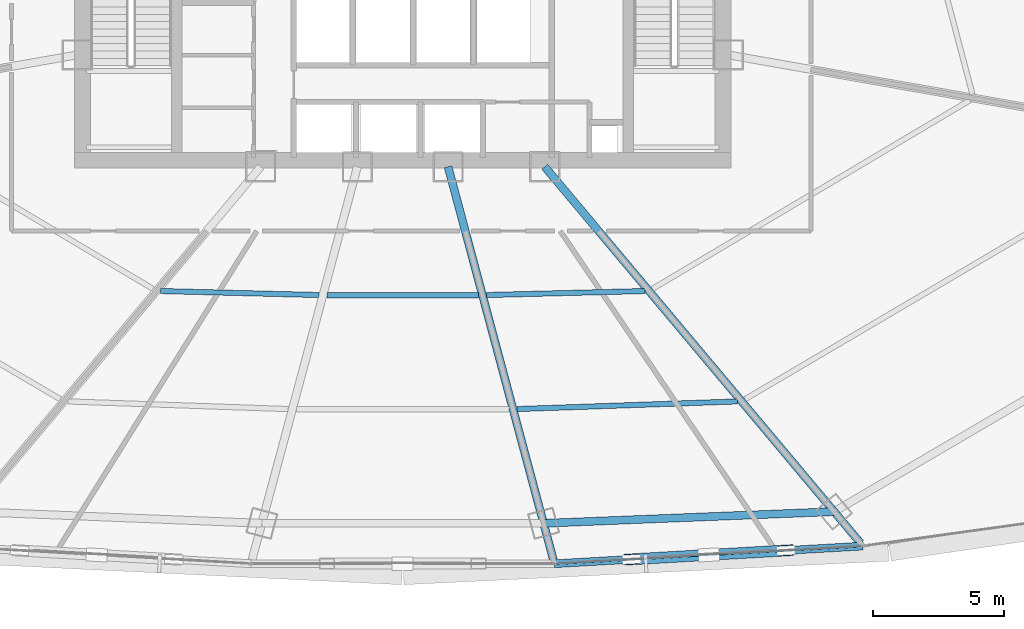
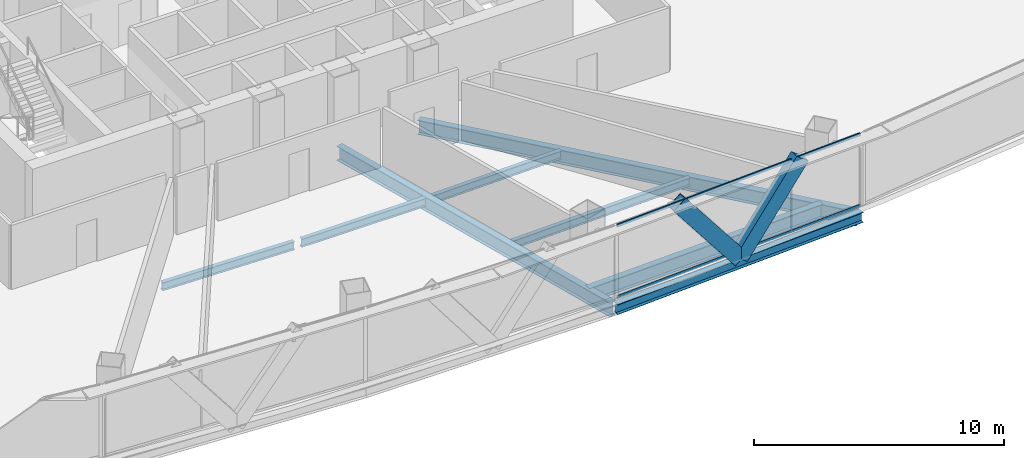
# One storey, part 11 of 36: 8 beams, 4 members, 1 element without a shape of its own.
"""IFC4 building model written with IfcOpenShell, lengths in metres."""

from ifc_helpers import new_model, si_unit, direction, frame, origin, origin_2d, place, context, subcontext, project, spatial, hollow_rectangle, i_section, extrude, source, transform, mapped, material, layer, layer_set, material_profile, profile_set, type_object, element, aggregate, save


model = new_model("IFC4")

# Units and contexts
model_context = context("Model", 3, precision=1e-05, world=origin(), true_north=direction((0.0, 1.0)))
body_context = subcontext(model_context, "Body", "Model", "MODEL_VIEW")
ifc_project = project(units=[si_unit("LENGTHUNIT", "METRE"), si_unit("AREAUNIT", "SQUARE_METRE"), si_unit("VOLUMEUNIT", "CUBIC_METRE"), si_unit("PLANEANGLEUNIT", "RADIAN"), si_unit("MASSUNIT", "GRAM", prefix="KILO"), si_unit("THERMODYNAMICTEMPERATUREUNIT", "KELVIN"), si_unit("POWERUNIT", "WATT")], contexts=[model_context])

# Site, building, storey
site_placement = place(None, origin())
site = spatial("IfcSite", under=ifc_project, at=site_placement, CompositionType="ELEMENT")
building_placement = place(site_placement, origin())
building = spatial("IfcBuilding", under=site, at=building_placement, Name="Yunzhuo Pagoda Commons", CompositionType="ELEMENT")
storey_placement = place(building_placement, frame((0.0, 0.0, 103.97998046875)))
storey = spatial("IfcBuildingStorey", under=building, at=storey_placement, Name="L26", CompositionType="ELEMENT", Elevation=103.97998046875)

# Beams
ifc_material_1 = material(Name="Structural steel Q355B", Category="steel")
ifc_material_profile_1 = material_profile(ifc_material_1, i_section(OverallWidth=0.300048828125, OverallDepth=0.699951171875, WebThickness=0.012939453125, FlangeThickness=0.02392578125, at=origin_2d()), Name="Structural steel Q355B")
ifc_profile_set_1 = profile_set([ifc_material_profile_1], Name="Structural steel Q355B")
beam_type_1 = type_object("IfcBeamType", Name="B-RG1 Beam HN 700x300x13x24", PredefinedType="BEAM", material=ifc_profile_set_1)
shared_shape_1 = source(origin(), body_context, "Body", "SweptSolid", [
    extrude(i_section(OverallWidth=0.300048828125, OverallDepth=0.699951171875, WebThickness=0.012939453125, FlangeThickness=0.02392578125, at=origin_2d()), origin(), (0.0, 0.0, 1.0), 11.077392578125),
])
beam_1_placement = place(storey_placement, frame((53.367431640625, 13.66845703125, -0.60986328125), z_axis=(0.999196975427, 0.040067496776, 0.0), x_axis=(-0.040067496776, 0.999196975427, 0.0)))
element("IfcBeam", 1, at=beam_1_placement, inside=storey, type_object=beam_type_1, Name="L26 column-ring beam 3", PredefinedType="BEAM", context=body_context, shape_type="MappedRepresentation", body=[
    mapped(shared_shape_1, transform((0.0, 0.0, 0.0), scale=1.0)),
])
ifc_material_profile_2 = material_profile(ifc_material_1, i_section(OverallWidth=0.199951171875, OverallDepth=0.39990234375, WebThickness=0.008056640625, FlangeThickness=0.012939453125, at=origin_2d()), Name="Structural steel Q355B")
ifc_profile_set_2 = profile_set([ifc_material_profile_2], Name="Structural steel Q355B")
beam_type_2 = type_object("IfcBeamType", Name="B-JS1 Joist HN 400x200x8x13", PredefinedType="JOIST", material=ifc_profile_set_2)
shared_shape_2 = source(origin(), body_context, "Body", "SweptSolid", [
    extrude(i_section(OverallWidth=0.199951171875, OverallDepth=0.39990234375, WebThickness=0.008056640625, FlangeThickness=0.012939453125, at=origin_2d()), origin(), (0.0, 0.0, 1.0), 6.026611328125),
])
for number, where, z_axis, x_axis, name in (
    (2, (38.778076171875, 22.516357421875, -0.459716796875), (0.99968248871, -0.025197654009, 0.0), (0.025197654009, 0.99968248871, 0.0), "L26 composite ring joist 1.1"),
    (3, (51.197265625, 22.364501953125, -0.459716796875), (0.99968248871, 0.025197654009, 0.0), (-0.025197654009, 0.99968248871, 0.0), "L26 composite ring joist 1.3"),
):
    element("IfcBeam", number, at=place(storey_placement, frame(where, z_axis=z_axis, x_axis=x_axis)), inside=storey, type_object=beam_type_2, Name=name, PredefinedType="JOIST", context=body_context, shape_type="MappedRepresentation", body=[
        mapped(shared_shape_2, transform((0.0, 0.0, 0.0), scale=1.0)),
    ])
shared_shape_3 = source(origin(), body_context, "Body", "SweptSolid", [
    extrude(i_section(OverallWidth=0.199951171875, OverallDepth=0.39990234375, WebThickness=0.008056640625, FlangeThickness=0.012939453125, at=origin_2d()), origin(), (0.0, 0.0, 1.0), 8.392822265625),
])
beam_2_placement = place(storey_placement, frame((52.36181640625, 18.020263671875, -0.459716796875), z_axis=(0.999400667027, 0.034616567521, 0.0), x_axis=(-0.034616567521, 0.999400667027, 0.0)))
element("IfcBeam", 4, at=beam_2_placement, inside=storey, type_object=beam_type_2, Name="L26 composite ring joist 2.3", PredefinedType="JOIST", context=body_context, shape_type="MappedRepresentation", body=[
    mapped(shared_shape_3, transform((0.0, 0.0, 0.0), scale=1.0)),
])
shared_shape_4 = source(origin(), body_context, "Body", "SweptSolid", [
    extrude(i_section(OverallWidth=0.199951171875, OverallDepth=0.39990234375, WebThickness=0.008056640625, FlangeThickness=0.012939453125, at=origin_2d()), origin(), (0.0, 0.0, 1.0), 5.7587890625),
])
beam_3_placement = place(storey_placement, frame((45.120849609375, 22.360595703125, -0.459716796875), z_axis=(1.0, 0.0, 0.0), x_axis=(0.0, 1.0, 0.0)))
element("IfcBeam", 5, at=beam_3_placement, inside=storey, type_object=beam_type_2, Name="L26 composite ring joist 1.2", PredefinedType="JOIST", context=body_context, shape_type="MappedRepresentation", body=[
    mapped(shared_shape_4, transform((0.0, 0.0, 0.0), scale=1.0)),
])
shared_shape_5 = source(origin(), body_context, "Body", "SweptSolid", [
    extrude(i_section(OverallWidth=0.300048828125, OverallDepth=0.699951171875, WebThickness=0.012939453125, FlangeThickness=0.02392578125, at=origin_2d()), origin(), (0.0, 0.0, 1.0), 18.70703125),
])
beam_4_placement = place(storey_placement, frame((65.436767578125, 12.919677734375, -0.60986328125), z_axis=(-0.642790435283, 0.766042072154, 0.0), x_axis=(-0.766042072154, -0.642790435283, 0.0)))
element("IfcBeam", 6, at=beam_4_placement, inside=storey, type_object=beam_type_1, Name="L26 radial floor girder F1C4", PredefinedType="BEAM", context=body_context, shape_type="MappedRepresentation", body=[
    mapped(shared_shape_5, transform((0.0, 0.0, 0.0), scale=1.0)),
])
shared_shape_6 = source(origin(), body_context, "Body", "SweptSolid", [
    extrude(i_section(OverallWidth=0.300048828125, OverallDepth=0.699951171875, WebThickness=0.012939453125, FlangeThickness=0.02392578125, at=origin_2d()), origin(), (0.0, 0.0, 1.0), 15.50048828125),
])
beam_5_placement = place(storey_placement, frame((53.739990234375, 12.277587890625, -0.60986328125), z_axis=(-0.258796706154, 0.965931811715, 0.0), x_axis=(-0.965931811715, -0.258796706154, 0.0)))
element("IfcBeam", 7, at=beam_5_placement, inside=storey, type_object=beam_type_1, Name="L26 radial floor girder F1C3", PredefinedType="BEAM", context=body_context, shape_type="MappedRepresentation", body=[
    mapped(shared_shape_6, transform((0.0, 0.0, 0.0), scale=1.0)),
])
ifc_material_profile_3 = material_profile(ifc_material_1, i_section(OverallWidth=0.300048828125, OverallDepth=0.488037109375, WebThickness=0.010986328125, FlangeThickness=0.01806640625, at=origin_2d()), Name="Structural steel Q355B")
ifc_profile_set_3 = profile_set([ifc_material_profile_3], Name="Structural steel Q355B")
beam_type_3 = type_object("IfcBeamType", Name="B-SP1 Beam HM 488x300x11x18", PredefinedType="BEAM", material=ifc_profile_set_3)
shared_shape_7 = source(origin(), body_context, "Body", "SweptSolid", [
    extrude(i_section(OverallWidth=0.300048828125, OverallDepth=0.488037109375, WebThickness=0.010986328125, FlangeThickness=0.01806640625, at=origin_2d()), origin(), (0.0, 0.0, 1.0), 11.775390625),
])
beam_6_placement = place(storey_placement, frame((53.7802734375, 12.1279296875, -0.50390625), z_axis=(0.998366134329, 0.057140719503, 0.0), x_axis=(-0.057140719503, 0.998366134329, 0.0)))
element("IfcBeam", 8, at=beam_6_placement, inside=storey, type_object=beam_type_3, Name="L26 facade edge spandrel beam F1.3", PredefinedType="BEAM", context=body_context, shape_type="MappedRepresentation", body=[
    mapped(shared_shape_7, transform((0.0, 0.0, 0.0), scale=1.0)),
])

# Members
ifc_material_2 = material(Name="Structural steel Q420B", Category="steel")
ifc_material_profile_4 = material_profile(ifc_material_2, hollow_rectangle(XDim=0.419921875, YDim=0.719970703125, WallThickness=0.028076171875, at=origin_2d()), Name="Structural steel Q420B")
ifc_profile_set_4 = profile_set([ifc_material_profile_4], Name="Structural steel Q420B")
member_type_1 = type_object("IfcMemberType", Name="M-DL1 Brace BOX 720x420x28", PredefinedType="BRACE", material=ifc_profile_set_4)
shared_shape_8 = source(origin(), body_context, "Body", "SweptSolid", [
    extrude(hollow_rectangle(XDim=0.419921875, YDim=0.719970703125, WallThickness=0.028076171875, at=origin_2d()), origin(), (0.0, 0.0, 1.0), 4.80712890625),
])
for number, where, z_axis, x_axis, name in (
    (9, (59.658203125, 12.464599609375, -0.260009765625), (-0.611381221759, -0.035043449328, 0.790559901803), (0.057224565462, -0.998361331937, 0.0), "L26 facade diamond brace F1.3L"),
    (10, (59.658203125, 12.464599609375, -0.260009765625), (0.611415197214, 0.034940913339, 0.790538164285), (-0.057054513862, 0.998371064509, 0.0), "L26 facade diamond brace F1.3R"),
):
    element("IfcMember", number, at=place(storey_placement, frame(where, z_axis=z_axis, x_axis=x_axis)), inside=storey, type_object=member_type_1, Name=name, PredefinedType="BRACE", context=body_context, shape_type="MappedRepresentation", body=[
        mapped(shared_shape_8, transform((0.0, 0.0, 0.0), scale=1.0)),
    ])

# Curtain wall, members
ifc_material_3 = material(Name="Anodized aluminium 6063-T6", Category="aluminium")
ifc_layer = layer(ifc_material_3, 0.1650390625)
ifc_layer_set = layer_set([ifc_layer], Name="Anodized aluminium 6063-T6")
curtain_wall_type = type_object("IfcCurtainWallType", Name="CW-LOW Low-Zone Ribbon Curtain Wall", PredefinedType="NOTDEFINED", material=ifc_layer_set)
curtain_wall_placement = place(storey_placement, origin())
curtain_wall = element("IfcCurtainWall", 11, at=curtain_wall_placement, inside=storey, type_object=curtain_wall_type, Name="L26 curtain wall CW-L26-F1B4", PredefinedType="NOTDEFINED")
ifc_material_profile_5 = material_profile(ifc_material_3, hollow_rectangle(XDim=0.06005859375, YDim=0.139892578125, WallThickness=0.00341796875, at=origin_2d()), Name="Anodized aluminium 6063-T6")
ifc_profile_set_5 = profile_set([ifc_material_profile_5], Name="Anodized aluminium 6063-T6")
member_type_2 = type_object("IfcMemberType", Name="CW-LOW-T Transom RHS 140x60x3.5", PredefinedType="USERDEFINED", material=ifc_profile_set_5)
shared_shape_9 = source(origin(), body_context, "Body", "SweptSolid", [
    extrude(hollow_rectangle(XDim=0.06005859375, YDim=0.139892578125, WallThickness=0.00341796875, at=origin_2d()), origin(), (0.0, 0.0, 1.0), 11.6455078125),
])
member_1_placement = place(storey_placement, frame((53.84521484375, 12.131591796875, 0.030029296875), z_axis=(0.998365666223, 0.057148897697, 0.0), x_axis=(-0.057148897697, 0.998365666223, 0.0)))
member_1 = element("IfcMember", 12, at=member_1_placement, type_object=member_type_2, Name="CW transom 1.1", ObjectType="TRANSOM", PredefinedType="USERDEFINED", context=body_context, shape_type="MappedRepresentation", body=[
    mapped(shared_shape_9, transform((0.0, 0.0, 0.0), scale=1.0)),
])
member_2_placement = place(storey_placement, frame((53.84521484375, 12.131591796875, 3.510009765625), z_axis=(0.998365666223, 0.057148897697, 0.0), x_axis=(-0.057148897697, 0.998365666223, 0.0)))
member_2 = element("IfcMember", 13, at=member_2_placement, type_object=member_type_2, Name="CW transom 1.2", ObjectType="TRANSOM", PredefinedType="USERDEFINED", context=body_context, shape_type="MappedRepresentation", body=[
    mapped(shared_shape_9, transform((0.0, 0.0, 0.0), scale=1.0)),
])
aggregate(curtain_wall, [member_1, member_2])

save(model, "model.ifc")
